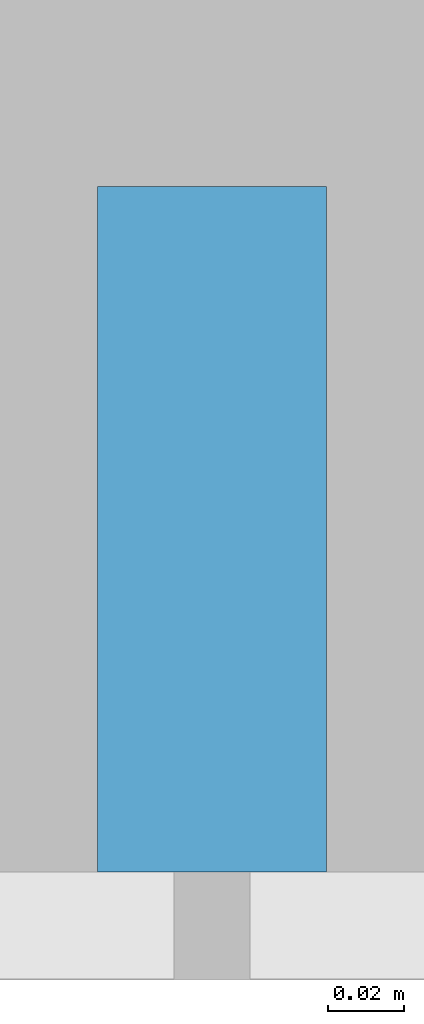
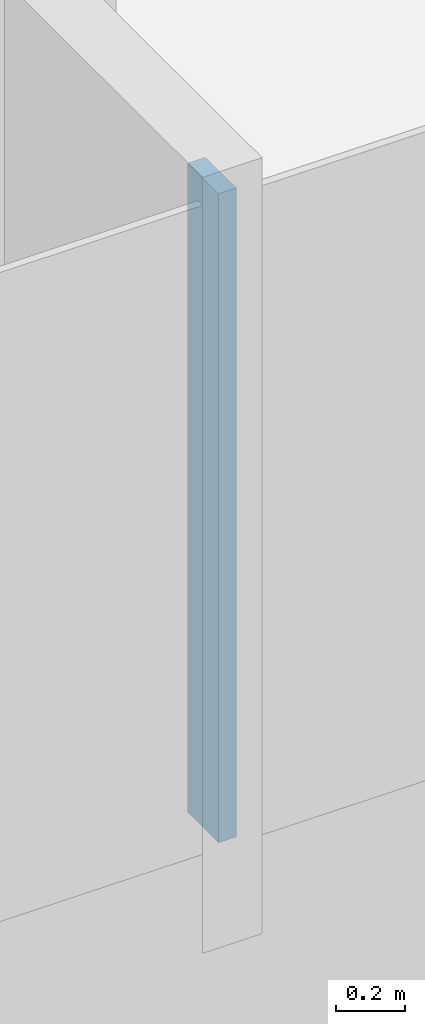
# One storey, part 3 of 25: 1 member, 1 element without a shape of its own.
"""IFC4 building model written with IfcOpenShell, lengths in metres."""

from ifc_helpers import new_model, si_unit, direction, frame, origin, origin_2d, place, context, subcontext, project, spatial, rectangle, extrude, material, layer, layer_set, material_profile, profile_set, type_object, element, aggregate, save


model = new_model("IFC4")

# Units and contexts
model_context = context("Model", 3, precision=1e-05, world=origin(), true_north=direction((0.0, 1.0)))
body_context = subcontext(model_context, "Body", "Model", "MODEL_VIEW")
ifc_project = project(units=[si_unit("LENGTHUNIT", "METRE"), si_unit("AREAUNIT", "SQUARE_METRE"), si_unit("VOLUMEUNIT", "CUBIC_METRE"), si_unit("PLANEANGLEUNIT", "RADIAN"), si_unit("MASSUNIT", "GRAM", prefix="KILO")], contexts=[model_context])

# Site, building, storey
site_placement = place(None, origin())
site = spatial("IfcSite", under=ifc_project, at=site_placement, CompositionType="ELEMENT")
building_placement = place(site_placement, origin())
building = spatial("IfcBuilding", under=site, at=building_placement, Name="Hakoniwa Tower and Hamabe Station Hall", CompositionType="ELEMENT")
storey_placement = place(building_placement, frame((0.0, 0.0, 202.60009765625)))
storey = spatial("IfcBuildingStorey", under=building, at=storey_placement, Name="L57", CompositionType="ELEMENT", Elevation=202.60009765625)

# Curtain wall, member
ifc_material_1 = material(Name="Dark low-e laminated glass", Category="glass")
ifc_layer = layer(ifc_material_1, 0.199951171875)
ifc_layer_set = layer_set([ifc_layer], Name="CW-1 UNITISED GUEST")
curtain_wall_type = type_object("IfcCurtainWallType", Name="CW-1 UNITISED GUEST", PredefinedType="NOTDEFINED", material=ifc_layer_set)
curtain_wall_placement = place(storey_placement, origin())
curtain_wall = element("IfcCurtainWall", 1, at=curtain_wall_placement, inside=storey, type_object=curtain_wall_type, Name="CW-1 curtain wall", PredefinedType="NOTDEFINED")
ifc_material_2 = material(Name="Aluminium 6063-T5 black anodised", Category="aluminium")
ifc_material_profile = material_profile(ifc_material_2, rectangle(XDim=0.06005859375, YDim=0.179931640625, at=origin_2d()), Name="CW-1 MULLION 60X180")
ifc_profile_set = profile_set([ifc_material_profile], Name="Aluminium 6063-T5 black anodised")
member_type = type_object("IfcMemberType", Name="CW-1 MULLION 60X180", PredefinedType="MULLION", material=ifc_profile_set)
member_placement = place(storey_placement, frame((0.0, -15.431884765625, 0.349853515625), z_axis=(0.0, 0.0, 1.0), x_axis=(1.0, 0.0, 0.0)))
member = element("IfcMember", 2, at=member_placement, type_object=member_type, Name="CW-1 mullion", PredefinedType="MULLION", context=body_context, shape_type="SweptSolid", body=[
    extrude(rectangle(XDim=0.06005859375, YDim=0.179931640625, at=origin_2d()), origin(), (0.0, 0.0, 1.0), 2.300048828125),
])
aggregate(curtain_wall, [member])

save(model, "model.ifc")
